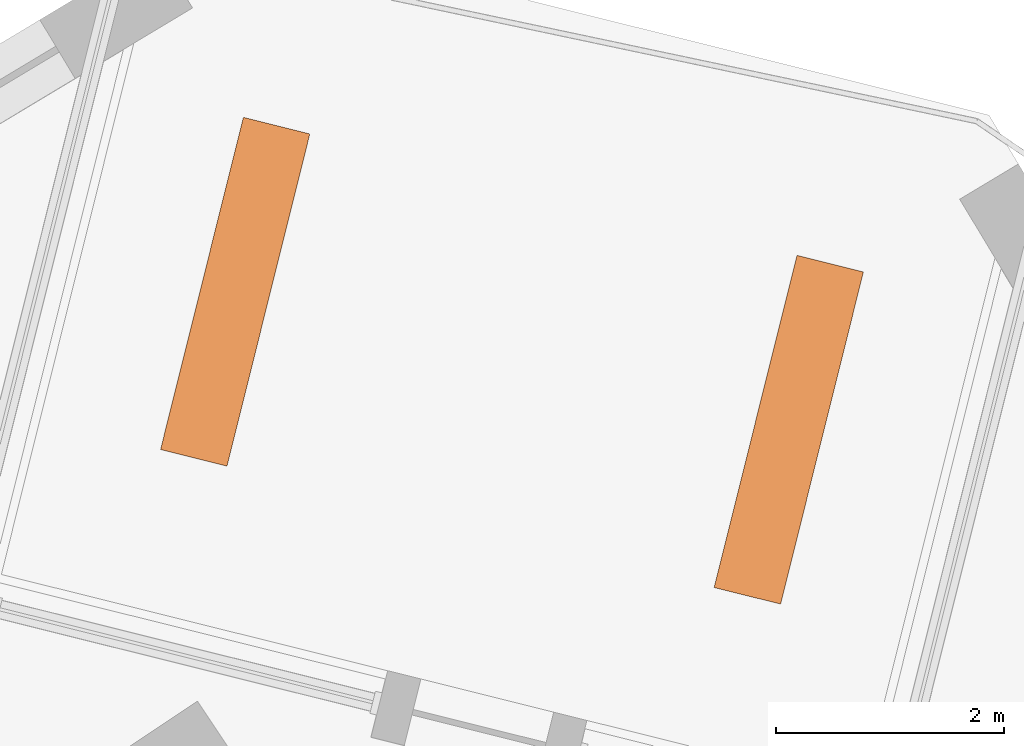
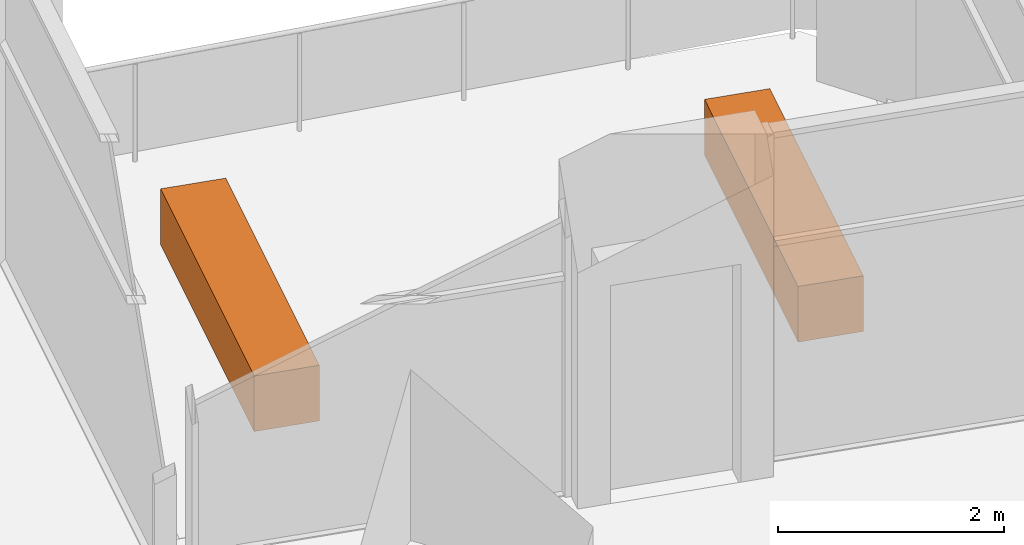
# One storey, part 14 of 14: 2 proxies.
"""IFC4 building model written with IfcOpenShell, lengths in metres."""

from ifc_helpers import new_model, si_unit, direction, frame, origin, origin_2d, place, context, subcontext, project, spatial, rectangle, extrude, element, save


model = new_model("IFC4")

# Units and contexts
model_context = context("Model", 3, precision=1e-05, world=origin(), true_north=direction((0.0, 1.0)))
body_context = subcontext(model_context, "Body", "Model", "MODEL_VIEW")
ifc_project = project(units=[si_unit("LENGTHUNIT", "METRE"), si_unit("AREAUNIT", "SQUARE_METRE"), si_unit("VOLUMEUNIT", "CUBIC_METRE"), si_unit("PLANEANGLEUNIT", "RADIAN"), si_unit("MASSUNIT", "GRAM", prefix="KILO")], contexts=[model_context])

# Site, building, storey
site_placement = place(None, origin())
site = spatial("IfcSite", under=ifc_project, at=site_placement, CompositionType="ELEMENT")
building_placement = place(site_placement, origin())
building = spatial("IfcBuilding", under=site, at=building_placement, Name="Dilmun Exchange Tower", CompositionType="ELEMENT")
storey_placement = place(building_placement, frame((0.0, 0.0, 151.699951171875)))
storey = spatial("IfcBuildingStorey", under=building, at=storey_placement, Name="L35", CompositionType="ELEMENT", Elevation=151.699951171875)

# Proxies
for number, where, z_axis, x_axis, name in (
    (1, (12.9384765625, 31.037109375, 0.0), (0.0, 0.0, 1.0), (0.2419218956, 0.970295726276, 0.0), "PLANTER Desert shrub L35.1"),
    (2, (8.0869140625, 32.24658203125, 0.0), (0.0, 0.0, 1.0), (0.2419218956, 0.970295726276, 0.0), "PLANTER Desert shrub L35.2"),
):
    element("IfcBuildingElementProxy", number, at=place(storey_placement, frame(where, z_axis=z_axis, x_axis=x_axis)), inside=storey, Name=name, ObjectType="PLANTER", PredefinedType="USERDEFINED", context=body_context, shape_type="SweptSolid", body=[
        extrude(rectangle(XDim=3.0, YDim=0.60009765625, at=origin_2d()), origin(), (0.0, 0.0, 1.0), 0.60009765625),
    ])

save(model, "model.ifc")
